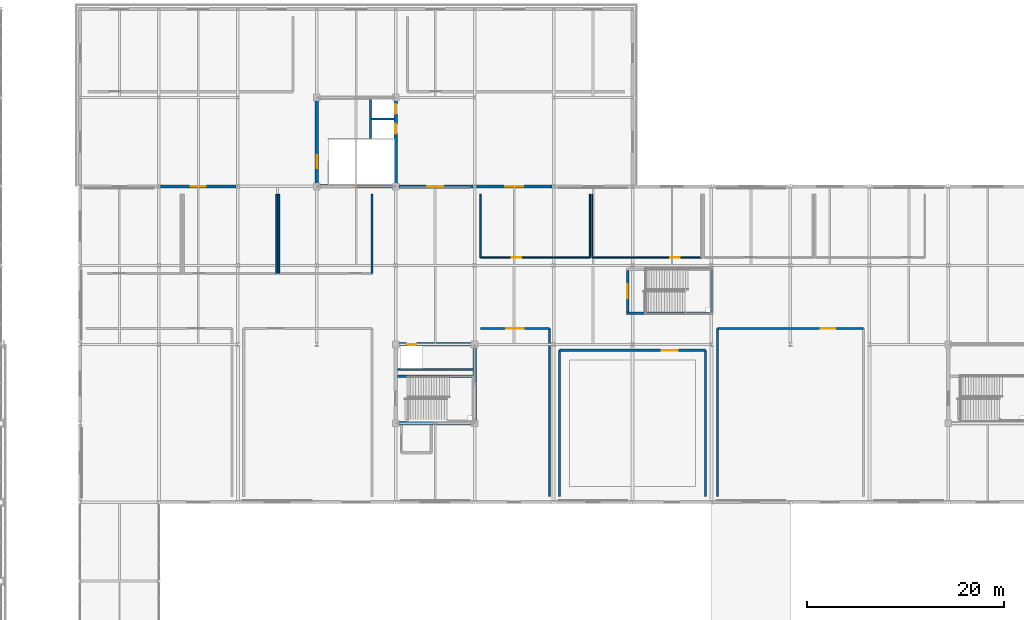
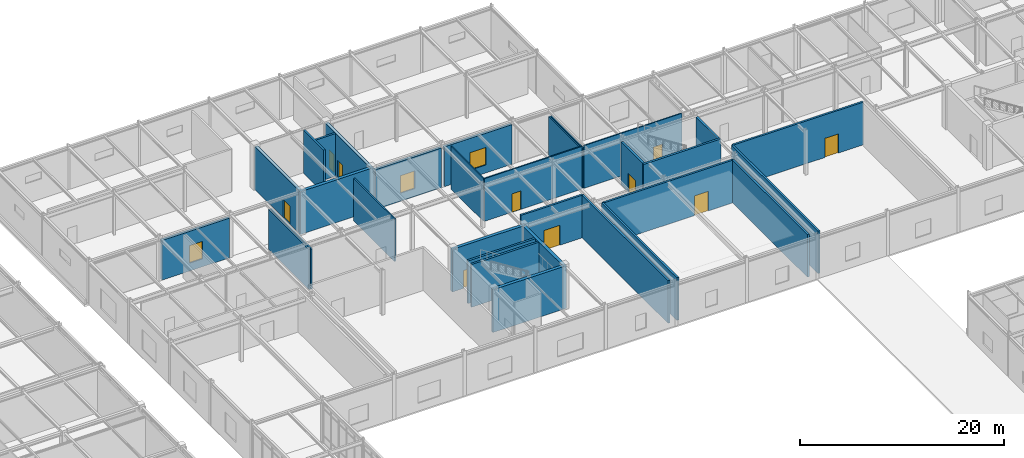
# One storey, part 92 of 108: 31 walls, 10 doors, 3 windows, 13 openings.
"""IFC4 building model written with IfcOpenShell, lengths in metres."""

from ifc_helpers import new_model, si_unit, direction, frame, frame_2d, origin, place, context, subcontext, project, spatial, rectangle, extrude, material, layer, layer_set, type_object, element, fill, save


model = new_model("IFC4")

# Units and contexts
model_context = context("Model", 3, precision=1e-05, world=origin(), true_north=direction((0.0, 1.0)))
body_context = subcontext(model_context, "Body", "Model", "MODEL_VIEW")
ifc_project = project(units=[si_unit("LENGTHUNIT", "METRE"), si_unit("AREAUNIT", "SQUARE_METRE"), si_unit("VOLUMEUNIT", "CUBIC_METRE"), si_unit("PLANEANGLEUNIT", "RADIAN"), si_unit("MASSUNIT", "GRAM", prefix="KILO")], contexts=[model_context])

# Site, building, storey
site_placement = place(None, origin())
site = spatial("IfcSite", under=ifc_project, at=site_placement, CompositionType="ELEMENT")
building_placement = place(site_placement, origin())
building = spatial("IfcBuilding", under=site, at=building_placement, Name="Zhaolan Boulevard Law Courts", CompositionType="ELEMENT")
storey_placement = place(building_placement, frame((0.0, 0.0, 10.800048828125)))
storey = spatial("IfcBuildingStorey", under=building, at=storey_placement, Name="L02", CompositionType="ELEMENT", Elevation=10.800048828125)

# Wall
ifc_material_1 = material(Name="Concrete C50", Category="concrete")
ifc_layer_1 = layer(ifc_material_1, 0.35009765625)
ifc_layer_set_1 = layer_set([ifc_layer_1])
wall_type_1 = type_object("IfcWallType", Name="CORE SHEAR WALL 350", PredefinedType="SHEAR", material=ifc_layer_set_1)
wall_1_placement = place(storey_placement, frame((83.824951171875, 70.0, 0.0), z_axis=(0.0, 0.0, 1.0), x_axis=(1.0, 0.0, 0.0)))
element("IfcWall", 1, at=wall_1_placement, inside=storey, type_object=wall_type_1, Name="Core Shear Wall CW-T1-L02S", PredefinedType="SHEAR", context=body_context, shape_type="SweptSolid", body=[
    extrude(rectangle(XDim=8.35009765625, YDim=0.35009765625, at=frame_2d((4.175048828125, 0.0))), origin(), (0.0, 0.0, 1.0), 5.119873046875),
])

# Wall, opening, door
wall_2_placement = place(storey_placement, frame((92.175048828125, 78.0, 0.0), z_axis=(0.0, 0.0, 1.0), x_axis=(-1.0, 0.0, 0.0)))
wall_2 = element("IfcWall", 2, at=wall_2_placement, inside=storey, type_object=wall_type_1, Name="Core Shear Wall CW-T1-L02N", PredefinedType="SHEAR", context=body_context, shape_type="SweptSolid", body=[
    extrude(rectangle(XDim=8.35009765625, YDim=0.35009765625, at=frame_2d((4.175048828125, 0.0))), origin(), (0.0, 0.0, 1.0), 5.119873046875),
])
opening_1_placement = place(wall_2_placement, frame((6.074951171875, 0.0, 0.0)))
opening_1 = element("IfcOpeningElement", 3, at=opening_1_placement, cuts=wall_2, Name="Opening LD-PL-03-L02", PredefinedType="OPENING", context=body_context, shape_type="SweptSolid", body=[
    extrude(rectangle(XDim=1.0, YDim=2.14990234375, at=frame_2d((0.5, 1.074951171875))), frame((0.0, 0.18505859375, 0.0), z_axis=(0.0, -1.0, 0.0), x_axis=(1.0, 0.0, 0.0)), (0.0, 0.0, 1.0), 0.3701171875),
])
ifc_material_2 = material(Name="Stainless steel sliding landing door", Category="steel")
door_type_1 = type_object("IfcDoorType", Name="LIFT LANDING 1000X2150", OperationType="DOUBLE_DOOR_SLIDING", PredefinedType="DOOR", material=ifc_material_2)
door_1_placement = place(opening_1_placement, origin())
door_1 = element("IfcDoor", 4, at=door_1_placement, inside=storey, type_object=door_type_1, Name="Lift Landing Sliding Door LD-PL-03-L02", OperationType="DOUBLE_DOOR_SLIDING", OverallHeight=2.14990234375, OverallWidth=1.0, PredefinedType="DOOR", context=body_context, shape_type="SweptSolid", body=[
    extrude(rectangle(XDim=1.0, YDim=2.14990234375, at=frame_2d((0.5, 1.074951171875))), frame((0.0, 0.02490234375, 0.0), z_axis=(0.0, -1.0, 0.0), x_axis=(1.0, 0.0, 0.0)), (0.0, 0.0, 1.0), 0.050048828125),
])
fill(opening_1, door_1)

# Walls
wall_3_placement = place(storey_placement, frame((92.0, 70.175048828125, 0.0), z_axis=(0.0, 0.0, 1.0), x_axis=(0.0, 1.0, 0.0)))
element("IfcWall", 5, at=wall_3_placement, inside=storey, type_object=wall_type_1, Name="Core Shear Wall CW-T1-L02E", PredefinedType="SHEAR", context=body_context, shape_type="SweptSolid", body=[
    extrude(rectangle(XDim=7.64990234375, YDim=0.35009765625, at=frame_2d((3.824951171875, 0.0))), origin(), (0.0, 0.0, 1.0), 5.119873046875),
])
wall_4_placement = place(storey_placement, frame((75.824951171875, 94.0, 0.0), z_axis=(0.0, 0.0, 1.0), x_axis=(1.0, 0.0, 0.0)))
element("IfcWall", 6, at=wall_4_placement, inside=storey, type_object=wall_type_1, Name="Core Shear Wall CW-C1-L02S", PredefinedType="SHEAR", context=body_context, shape_type="SweptSolid", body=[
    extrude(rectangle(XDim=8.35009765625, YDim=0.35009765625, at=frame_2d((4.175048828125, 0.0))), origin(), (0.0, 0.0, 1.0), 5.119873046875),
])

# Wall, opening, door
wall_5_placement = place(storey_placement, frame((76.0, 94.175048828125, 0.0), z_axis=(0.0, 0.0, 1.0), x_axis=(0.0, 1.0, 0.0)))
wall_5 = element("IfcWall", 7, at=wall_5_placement, inside=storey, type_object=wall_type_1, Name="Core Shear Wall CW-C1-L02W", PredefinedType="SHEAR", context=body_context, shape_type="SweptSolid", body=[
    extrude(rectangle(XDim=8.64990234375, YDim=0.35009765625, at=frame_2d((4.324951171875, 0.0))), origin(), (0.0, 0.0, 1.0), 5.119873046875),
])
opening_2_placement = place(wall_5_placement, frame((1.64990234375, 0.0, 0.0)))
opening_2 = element("IfcOpeningElement", 8, at=opening_2_placement, cuts=wall_5, Name="Opening SD-L02-46", PredefinedType="OPENING", context=body_context, shape_type="SweptSolid", body=[
    extrude(rectangle(XDim=1.35009765625, YDim=2.199951171875, at=frame_2d((0.675048828125, 1.10009765625))), frame((0.0, 0.18505859375, 0.0), z_axis=(0.0, -1.0, 0.0), x_axis=(1.0, 0.0, 0.0)), (0.0, 0.0, 1.0), 0.3701171875),
])
ifc_material_3 = material(Name="Fire-rated steel acoustic door", Category="steel")
door_type_2 = type_object("IfcDoorType", Name="STAIR FIRE 1350X2200 R", OperationType="SINGLE_SWING_RIGHT", PredefinedType="DOOR", material=ifc_material_3)
door_2_placement = place(opening_2_placement, origin())
door_2 = element("IfcDoor", 9, at=door_2_placement, inside=storey, type_object=door_type_2, Name="Smoke-Proof Stairwell Fire Door SD-L02-46", OperationType="SINGLE_SWING_RIGHT", OverallHeight=2.199951171875, OverallWidth=1.35009765625, PredefinedType="DOOR", context=body_context, shape_type="SweptSolid", body=[
    extrude(rectangle(XDim=1.35009765625, YDim=2.199951171875, at=frame_2d((0.675048828125, 1.10009765625))), frame((0.0, 0.02490234375, 0.0), z_axis=(0.0, -1.0, 0.0), x_axis=(1.0, 0.0, 0.0)), (0.0, 0.0, 1.0), 0.050048828125),
])
fill(opening_2, door_2)

# Wall, openings, doors
wall_6_placement = place(storey_placement, frame((84.0, 94.175048828125, 0.0), z_axis=(0.0, 0.0, 1.0), x_axis=(0.0, 1.0, 0.0)))
wall_6 = element("IfcWall", 10, at=wall_6_placement, inside=storey, type_object=wall_type_1, Name="Core Shear Wall CW-C1-L02E", PredefinedType="SHEAR", context=body_context, shape_type="SweptSolid", body=[
    extrude(rectangle(XDim=8.64990234375, YDim=0.35009765625, at=frame_2d((4.324951171875, 0.0))), origin(), (0.0, 0.0, 1.0), 5.119873046875),
])
opening_3_placement = place(wall_6_placement, frame((5.175048828125, 0.0, 0.0)))
opening_3 = element("IfcOpeningElement", 11, at=opening_3_placement, cuts=wall_6, Name="Opening LD-CL-01-L02", PredefinedType="OPENING", context=body_context, shape_type="SweptSolid", body=[
    extrude(rectangle(XDim=1.0, YDim=2.14990234375, at=frame_2d((0.5, 1.074951171875))), frame((0.0, 0.18505859375, 0.0), z_axis=(0.0, -1.0, 0.0), x_axis=(1.0, 0.0, 0.0)), (0.0, 0.0, 1.0), 0.3701171875),
])
opening_4_placement = place(wall_6_placement, frame((7.175048828125, 0.0, 0.0)))
opening_4 = element("IfcOpeningElement", 12, at=opening_4_placement, cuts=wall_6, Name="Opening LD-CL-02-L02", PredefinedType="OPENING", context=body_context, shape_type="SweptSolid", body=[
    extrude(rectangle(XDim=1.0, YDim=2.14990234375, at=frame_2d((0.5, 1.074951171875))), frame((0.0, 0.18505859375, 0.0), z_axis=(0.0, -1.0, 0.0), x_axis=(1.0, 0.0, 0.0)), (0.0, 0.0, 1.0), 0.3701171875),
])
door_3_placement = place(opening_3_placement, origin())
door_3 = element("IfcDoor", 13, at=door_3_placement, inside=storey, type_object=door_type_1, Name="Lift Landing Sliding Door LD-CL-01-L02", OperationType="DOUBLE_DOOR_SLIDING", OverallHeight=2.14990234375, OverallWidth=1.0, PredefinedType="DOOR", context=body_context, shape_type="SweptSolid", body=[
    extrude(rectangle(XDim=1.0, YDim=2.14990234375, at=frame_2d((0.5, 1.074951171875))), frame((0.0, 0.02490234375, 0.0), z_axis=(0.0, -1.0, 0.0), x_axis=(1.0, 0.0, 0.0)), (0.0, 0.0, 1.0), 0.050048828125),
])
fill(opening_3, door_3)
door_4_placement = place(opening_4_placement, origin())
door_4 = element("IfcDoor", 14, at=door_4_placement, inside=storey, type_object=door_type_1, Name="Lift Landing Sliding Door LD-CL-02-L02", OperationType="DOUBLE_DOOR_SLIDING", OverallHeight=2.14990234375, OverallWidth=1.0, PredefinedType="DOOR", context=body_context, shape_type="SweptSolid", body=[
    extrude(rectangle(XDim=1.0, YDim=2.14990234375, at=frame_2d((0.5, 1.074951171875))), frame((0.0, 0.02490234375, 0.0), z_axis=(0.0, -1.0, 0.0), x_axis=(1.0, 0.0, 0.0)), (0.0, 0.0, 1.0), 0.050048828125),
])
fill(opening_4, door_4)

# Wall, opening, window
ifc_material_4 = material(Name="Concrete C40", Category="concrete")
ifc_layer_2 = layer(ifc_material_4, 0.300048828125)
ifc_layer_set_2 = layer_set([ifc_layer_2])
wall_type_2 = type_object("IfcWallType", Name="EXT WALL CONCRETE300", PredefinedType="SOLIDWALL", material=ifc_layer_set_2)
wall_7_placement = place(storey_placement, frame((67.8291015625, 94.0, 0.0), z_axis=(0.0, 0.0, 1.0), x_axis=(-1.0, 0.0, 0.0)))
wall_7 = element("IfcWall", 15, at=wall_7_placement, inside=storey, type_object=wall_type_2, Name="Exterior Wall EW-L02-251", PredefinedType="SOLIDWALL", context=body_context, shape_type="SweptSolid", body=[
    extrude(rectangle(XDim=7.658203125, YDim=0.300048828125, at=frame_2d((3.8291015625, 0.0))), origin(), (0.0, 0.0, 1.0), 4.762939453125),
])
opening_5_placement = place(wall_7_placement, frame((3.0791015625, 0.0, 0.949951171875)))
opening_5 = element("IfcOpeningElement", 16, at=opening_5_placement, cuts=wall_7, Name="Opening WIN-L02-108", PredefinedType="OPENING", context=body_context, shape_type="SweptSolid", body=[
    extrude(rectangle(XDim=1.5, YDim=2.10009765625, at=frame_2d((0.75, 1.050048828125))), frame((0.0, 0.159912109375, 0.0), z_axis=(0.0, -1.0, 0.0), x_axis=(1.0, 0.0, 0.0)), (0.0, 0.0, 1.0), 0.320068359375),
])
ifc_material_5 = material(Name="Thermally broken aluminium and low-E glazing", Category="aluminium")
window_type_1 = type_object("IfcWindowType", Name="WINDOW 1500X2100", PartitioningType="SINGLE_PANEL", PredefinedType="WINDOW", material=ifc_material_5)
window_1_placement = place(opening_5_placement, origin())
window_1 = element("IfcWindow", 17, at=window_1_placement, inside=storey, type_object=window_type_1, Name="Exterior Window WIN-L02-108", OverallHeight=2.10009765625, OverallWidth=1.5, PartitioningType="SINGLE_PANEL", PredefinedType="WINDOW", context=body_context, shape_type="SweptSolid", body=[
    extrude(rectangle(XDim=1.5, YDim=2.10009765625, at=frame_2d((0.75, 1.050048828125))), frame((0.0, 0.030029296875, 0.0), z_axis=(0.0, -1.0, 0.0), x_axis=(1.0, 0.0, 0.0)), (0.0, 0.0, 1.0), 0.06005859375),
])
fill(opening_5, window_1)

wall_8_placement = place(storey_placement, frame((91.8291015625, 94.0, 0.0), z_axis=(0.0, 0.0, 1.0), x_axis=(-1.0, 0.0, 0.0)))
wall_8 = element("IfcWall", 18, at=wall_8_placement, inside=storey, type_object=wall_type_2, Name="Exterior Wall EW-L02-252", PredefinedType="SOLIDWALL", context=body_context, shape_type="SweptSolid", body=[
    extrude(rectangle(XDim=7.483154296875, YDim=0.300048828125, at=frame_2d((3.74169921875, 0.0))), origin(), (0.0, 0.0, 1.0), 4.762939453125),
])
opening_6_placement = place(wall_8_placement, frame((3.00390625, 0.0, 0.949951171875)))
opening_6 = element("IfcOpeningElement", 19, at=opening_6_placement, cuts=wall_8, Name="Opening WIN-L02-109", PredefinedType="OPENING", context=body_context, shape_type="SweptSolid", body=[
    extrude(rectangle(XDim=1.64990234375, YDim=2.10009765625, at=frame_2d((0.824951171875, 1.050048828125))), frame((0.0, 0.159912109375, 0.0), z_axis=(0.0, -1.0, 0.0), x_axis=(1.0, 0.0, 0.0)), (0.0, 0.0, 1.0), 0.320068359375),
])
ifc_material_6 = material(Name="Thermally broken aluminium and low-E glazing", Category="aluminium")
window_type_2 = type_object("IfcWindowType", Name="WINDOW 1650X2100", PartitioningType="SINGLE_PANEL", PredefinedType="WINDOW", material=ifc_material_6)
window_2_placement = place(opening_6_placement, origin())
window_2 = element("IfcWindow", 20, at=window_2_placement, inside=storey, type_object=window_type_2, Name="Exterior Window WIN-L02-109", OverallHeight=2.10009765625, OverallWidth=1.64990234375, PartitioningType="SINGLE_PANEL", PredefinedType="WINDOW", context=body_context, shape_type="SweptSolid", body=[
    extrude(rectangle(XDim=1.64990234375, YDim=2.10009765625, at=frame_2d((0.824951171875, 1.050048828125))), frame((0.0, 0.030029296875, 0.0), z_axis=(0.0, -1.0, 0.0), x_axis=(1.0, 0.0, 0.0)), (0.0, 0.0, 1.0), 0.06005859375),
])
fill(opening_6, window_2)

wall_9_placement = place(storey_placement, frame((99.8291015625, 94.0, 0.0), z_axis=(0.0, 0.0, 1.0), x_axis=(-1.0, 0.0, 0.0)))
wall_9 = element("IfcWall", 21, at=wall_9_placement, inside=storey, type_object=wall_type_2, Name="Exterior Wall EW-L02-253", PredefinedType="SOLIDWALL", context=body_context, shape_type="SweptSolid", body=[
    extrude(rectangle(XDim=7.658203125, YDim=0.300048828125, at=frame_2d((3.8291015625, 0.0))), origin(), (0.0, 0.0, 1.0), 4.762939453125),
])
opening_7_placement = place(wall_9_placement, frame((2.928955078125, 0.0, 0.949951171875)))
opening_7 = element("IfcOpeningElement", 22, at=opening_7_placement, cuts=wall_9, Name="Opening WIN-L02-110", PredefinedType="OPENING", context=body_context, shape_type="SweptSolid", body=[
    extrude(rectangle(XDim=1.800048828125, YDim=2.10009765625, at=frame_2d((0.89990234375, 1.050048828125))), frame((0.0, 0.159912109375, 0.0), z_axis=(0.0, -1.0, 0.0), x_axis=(1.0, 0.0, 0.0)), (0.0, 0.0, 1.0), 0.320068359375),
])
ifc_material_7 = material(Name="Thermally broken aluminium and low-E glazing", Category="aluminium")
window_type_3 = type_object("IfcWindowType", Name="WINDOW 1800X2100", PartitioningType="DOUBLE_PANEL_VERTICAL", PredefinedType="WINDOW", material=ifc_material_7)
window_3_placement = place(opening_7_placement, origin())
window_3 = element("IfcWindow", 23, at=window_3_placement, inside=storey, type_object=window_type_3, Name="Exterior Window WIN-L02-110", OverallHeight=2.10009765625, OverallWidth=1.800048828125, PartitioningType="SINGLE_PANEL", PredefinedType="WINDOW", context=body_context, shape_type="SweptSolid", body=[
    extrude(rectangle(XDim=1.800048828125, YDim=2.10009765625, at=frame_2d((0.89990234375, 1.050048828125))), frame((0.0, 0.030029296875, 0.0), z_axis=(0.0, -1.0, 0.0), x_axis=(1.0, 0.0, 0.0)), (0.0, 0.0, 1.0), 0.06005859375),
])
fill(opening_7, window_3)

# Walls
ifc_material_8 = material(Name="Concrete C50", Category="concrete")
ifc_layer_3 = layer(ifc_material_8, 0.239990234375)
ifc_layer_set_3 = layer_set([ifc_layer_3])
wall_type_3 = type_object("IfcWallType", Name="LIFT SHAFT WALL 240", PredefinedType="SHEAR", material=ifc_layer_set_3)
wall_10_placement = place(storey_placement, frame((84.175048828125, 75.455078125, 0.0), z_axis=(0.0, 0.0, 1.0), x_axis=(1.0, 0.0, 0.0)))
element("IfcWall", 24, at=wall_10_placement, inside=storey, type_object=wall_type_3, Name="Lift Shaft Enclosure Wall T1 (L02)", PredefinedType="SHEAR", context=body_context, shape_type="SweptSolid", body=[
    extrude(rectangle(XDim=7.64990234375, YDim=0.239990234375, at=frame_2d((3.824951171875, 0.0))), origin(), (0.0, 0.0, 1.0), 5.119873046875),
])
ifc_material_9 = material(Name="Fire-rated gypsum stud partition")
ifc_layer_4 = layer(ifc_material_9, 0.159912109375)
ifc_layer_set_4 = layer_set([ifc_layer_4])
wall_type_4 = type_object("IfcWallType", Name="PART WALL CHAMB160", PredefinedType="PARTITIONING", material=ifc_layer_set_4)
for number, where, z_axis, x_axis, name in (
    (25, (71.927001953125, 85.199951171875, 0.0), (0.0, 0.0, 1.0), (0.0, 1.0, 0.0), "Interior Partition PW-L02-467"),
    (26, (72.14697265625, 93.199951171875, 0.0), (0.0, 0.0, 1.0), (0.0, -1.0, 0.0), "Interior Partition PW-L02-469"),
):
    element("IfcWall", number, at=place(storey_placement, frame(where, z_axis=z_axis, x_axis=x_axis)), inside=storey, type_object=wall_type_4, Name=name, PredefinedType="PARTITIONING", context=body_context, shape_type="SweptSolid", body=[
        extrude(rectangle(XDim=8.0, YDim=0.159912109375, at=frame_2d((4.0, 0.0))), origin(), (0.0, 0.0, 1.0), 4.81201171875),
    ])
wall_11_placement = place(storey_placement, frame((81.60009765625, 85.199951171875, 0.0), z_axis=(0.0, 0.0, 1.0), x_axis=(0.0, 1.0, 0.0)))
element("IfcWall", 27, at=wall_11_placement, inside=storey, type_object=wall_type_4, Name="Interior Partition PW-L02-470", PredefinedType="PARTITIONING", context=body_context, shape_type="SweptSolid", body=[
    extrude(rectangle(XDim=8.0, YDim=0.159912109375, at=frame_2d((4.0, 0.0))), origin(), (0.0, 0.0, 1.0), 5.119873046875),
])

# Wall, opening, door
ifc_material_10 = material(Name="Concrete C40", Category="concrete")
ifc_layer_5 = layer(ifc_material_10, 0.219970703125)
ifc_layer_set_5 = layer_set([ifc_layer_5])
wall_type_5 = type_object("IfcWallType", Name="PART WALL COURT220", PredefinedType="PARTITIONING", material=ifc_layer_set_5)
wall_12_placement = place(storey_placement, frame((99.60009765625, 79.60009765625, 0.0), z_axis=(0.0, 0.0, 1.0), x_axis=(-1.0, 0.0, 0.0)))
wall_12 = element("IfcWall", 28, at=wall_12_placement, inside=storey, type_object=wall_type_5, Name="Interior Partition PW-L02-454", PredefinedType="PARTITIONING", context=body_context, shape_type="SweptSolid", body=[
    extrude(rectangle(XDim=7.0, YDim=0.219970703125, at=frame_2d((3.5, 0.0))), origin(), (0.0, 0.0, 1.0), 5.119873046875),
])
opening_8_placement = place(wall_12_placement, frame((2.60009765625, 0.0, 0.0)))
opening_8 = element("IfcOpeningElement", 29, at=opening_8_placement, cuts=wall_12, Name="Opening ID-L02-141", PredefinedType="OPENING", context=body_context, shape_type="SweptSolid", body=[
    extrude(rectangle(XDim=1.800048828125, YDim=2.39990234375, at=frame_2d((0.89990234375, 1.199951171875))), frame((0.0, 0.119873046875, 0.0), z_axis=(0.0, -1.0, 0.0), x_axis=(1.0, 0.0, 0.0)), (0.0, 0.0, 1.0), 0.239990234375),
])
ifc_material_11 = material(Name="Solid-core acoustic oak veneer door")
door_type_3 = type_object("IfcDoorType", Name="COURT DOUBLE 1800X2400", OperationType="DOUBLE_DOOR_SINGLE_SWING", PredefinedType="DOOR", material=ifc_material_11)
door_5_placement = place(opening_8_placement, origin())
door_5 = element("IfcDoor", 30, at=door_5_placement, inside=storey, type_object=door_type_3, Name="Door ID-L02-141 (Gabled Trial Courtroom 11)", OperationType="DOUBLE_DOOR_SINGLE_SWING", OverallHeight=2.39990234375, OverallWidth=1.800048828125, PredefinedType="DOOR", context=body_context, shape_type="SweptSolid", body=[
    extrude(rectangle(XDim=1.800048828125, YDim=2.39990234375, at=frame_2d((0.89990234375, 1.199951171875))), frame((0.0, 0.02490234375, 0.0), z_axis=(0.0, -1.0, 0.0), x_axis=(1.0, 0.0, 0.0)), (0.0, 0.0, 1.0), 0.050048828125),
])
fill(opening_8, door_5)

# Wall
wall_13_placement = place(storey_placement, frame((99.60009765625, 62.60009765625, 0.0), z_axis=(0.0, 0.0, 1.0), x_axis=(0.0, 1.0, 0.0)))
element("IfcWall", 31, at=wall_13_placement, inside=storey, type_object=wall_type_5, Name="Interior Partition PW-L02-455", PredefinedType="PARTITIONING", context=body_context, shape_type="SweptSolid", body=[
    extrude(rectangle(XDim=17.0, YDim=0.219970703125, at=frame_2d((8.5, 0.0))), origin(), (0.0, 0.0, 1.0), 5.119873046875),
])

# Wall, opening, door
wall_14_placement = place(storey_placement, frame((115.39990234375, 77.39990234375, 0.0), z_axis=(0.0, 0.0, 1.0), x_axis=(-1.0, 0.0, 0.0)))
wall_14 = element("IfcWall", 32, at=wall_14_placement, inside=storey, type_object=wall_type_5, Name="Interior Partition PW-L02-456", PredefinedType="PARTITIONING", context=body_context, shape_type="SweptSolid", body=[
    extrude(rectangle(XDim=14.7998046875, YDim=0.219970703125, at=frame_2d((7.39990234375, 0.0))), origin(), (0.0, 0.0, 1.0), 5.119873046875),
])
opening_9_placement = place(wall_14_placement, frame((2.820068359375, 0.0, 0.0)))
opening_9 = element("IfcOpeningElement", 33, at=opening_9_placement, cuts=wall_14, Name="Opening ID-L02-142", PredefinedType="OPENING", context=body_context, shape_type="SweptSolid", body=[
    extrude(rectangle(XDim=1.60009765625, YDim=2.35009765625, at=frame_2d((0.800048828125, 1.175048828125))), frame((0.0, 0.119873046875, 0.0), z_axis=(0.0, -1.0, 0.0), x_axis=(1.0, 0.0, 0.0)), (0.0, 0.0, 1.0), 0.239990234375),
])
ifc_material_12 = material(Name="Solid-core acoustic oak veneer door")
door_type_4 = type_object("IfcDoorType", Name="COURT DOUBLE 1600X2350", OperationType="DOUBLE_DOOR_SINGLE_SWING", PredefinedType="DOOR", material=ifc_material_12)
door_6_placement = place(opening_9_placement, origin())
door_6 = element("IfcDoor", 34, at=door_6_placement, inside=storey, type_object=door_type_4, Name="Door ID-L02-142 (Gabled Trial Courtroom 12)", OperationType="DOUBLE_DOOR_SINGLE_SWING", OverallHeight=2.35009765625, OverallWidth=1.60009765625, PredefinedType="DOOR", context=body_context, shape_type="SweptSolid", body=[
    extrude(rectangle(XDim=1.60009765625, YDim=2.35009765625, at=frame_2d((0.800048828125, 1.175048828125))), frame((0.0, 0.02490234375, 0.0), z_axis=(0.0, -1.0, 0.0), x_axis=(1.0, 0.0, 0.0)), (0.0, 0.0, 1.0), 0.050048828125),
])
fill(opening_9, door_6)

# Walls
for number, where, z_axis, x_axis, name in (
    (35, (100.60009765625, 77.39990234375, 0.0), (0.0, 0.0, 1.0), (0.0, -1.0, 0.0), "Interior Partition PW-L02-457"),
    (36, (115.39990234375, 62.60009765625, 0.0), (0.0, 0.0, 1.0), (0.0, 1.0, 0.0), "Interior Partition PW-L02-458"),
):
    element("IfcWall", number, at=place(storey_placement, frame(where, z_axis=z_axis, x_axis=x_axis)), inside=storey, type_object=wall_type_5, Name=name, PredefinedType="PARTITIONING", context=body_context, shape_type="SweptSolid", body=[
        extrude(rectangle(XDim=14.7998046875, YDim=0.219970703125, at=frame_2d((7.39990234375, 0.0))), origin(), (0.0, 0.0, 1.0), 5.119873046875),
    ])

# Wall, opening, door
wall_15_placement = place(storey_placement, frame((131.39990234375, 79.60009765625, 0.0), z_axis=(0.0, 0.0, 1.0), x_axis=(-1.0, 0.0, 0.0)))
wall_15 = element("IfcWall", 37, at=wall_15_placement, inside=storey, type_object=wall_type_5, Name="Interior Partition PW-L02-459", PredefinedType="PARTITIONING", context=body_context, shape_type="SweptSolid", body=[
    extrude(rectangle(XDim=14.7998046875, YDim=0.219970703125, at=frame_2d((7.39990234375, 0.0))), origin(), (0.0, 0.0, 1.0), 5.119873046875),
])
opening_10_placement = place(wall_15_placement, frame((2.840087890625, 0.0, 0.0)))
opening_10 = element("IfcOpeningElement", 38, at=opening_10_placement, cuts=wall_15, Name="Opening ID-L02-143", PredefinedType="OPENING", context=body_context, shape_type="SweptSolid", body=[
    extrude(rectangle(XDim=1.5, YDim=2.300048828125, at=frame_2d((0.75, 1.14990234375))), frame((0.0, 0.119873046875, 0.0), z_axis=(0.0, -1.0, 0.0), x_axis=(1.0, 0.0, 0.0)), (0.0, 0.0, 1.0), 0.239990234375),
])
ifc_material_13 = material(Name="Solid-core acoustic oak veneer door")
door_type_5 = type_object("IfcDoorType", Name="COURT DOUBLE 1500X2300", OperationType="DOUBLE_DOOR_SINGLE_SWING", PredefinedType="DOOR", material=ifc_material_13)
door_7_placement = place(opening_10_placement, origin())
door_7 = element("IfcDoor", 39, at=door_7_placement, inside=storey, type_object=door_type_5, Name="Door ID-L02-143 (Gabled Trial Courtroom 13)", OperationType="DOUBLE_DOOR_SINGLE_SWING", OverallHeight=2.300048828125, OverallWidth=1.5, PredefinedType="DOOR", context=body_context, shape_type="SweptSolid", body=[
    extrude(rectangle(XDim=1.5, YDim=2.300048828125, at=frame_2d((0.75, 1.14990234375))), frame((0.0, 0.02490234375, 0.0), z_axis=(0.0, -1.0, 0.0), x_axis=(1.0, 0.0, 0.0)), (0.0, 0.0, 1.0), 0.050048828125),
])
fill(opening_10, door_7)

# Walls
wall_16_placement = place(storey_placement, frame((116.60009765625, 79.60009765625, 0.0), z_axis=(0.0, 0.0, 1.0), x_axis=(0.0, -1.0, 0.0)))
element("IfcWall", 40, at=wall_16_placement, inside=storey, type_object=wall_type_5, Name="Interior Partition PW-L02-460", PredefinedType="PARTITIONING", context=body_context, shape_type="SweptSolid", body=[
    extrude(rectangle(XDim=17.0, YDim=0.219970703125, at=frame_2d((8.5, 0.0))), origin(), (0.0, 0.0, 1.0), 5.119873046875),
])
ifc_material_14 = material(Name="Concrete C40", Category="concrete")
ifc_layer_6 = layer(ifc_material_14, 0.2099609375)
ifc_layer_set_6 = layer_set([ifc_layer_6])
wall_type_6 = type_object("IfcWallType", Name="PART WALL CUSTODY210", PredefinedType="PARTITIONING", material=ifc_layer_set_6)
wall_17_placement = place(storey_placement, frame((81.465087890625, 98.8720703125, 0.0), z_axis=(0.0, 0.0, 1.0), x_axis=(0.0, 1.0, 0.0)))
element("IfcWall", 41, at=wall_17_placement, inside=storey, type_object=wall_type_6, Name="Lift Shaft Enclosure Wall C1W (L02)", PredefinedType="PARTITIONING", context=body_context, shape_type="SweptSolid", body=[
    extrude(rectangle(XDim=3.950927734375, YDim=0.2099609375, at=frame_2d((1.9755859375, 0.0))), origin(), (0.0, 0.0, 1.0), 5.119873046875),
])
wall_18_placement = place(storey_placement, frame((81.572021484375, 100.85009765625, 0.0), z_axis=(0.0, 0.0, 1.0), x_axis=(1.0, 0.0, 0.0)))
element("IfcWall", 42, at=wall_18_placement, inside=storey, type_object=wall_type_6, Name="Lift Shaft Divider Wall C1 (L02)", PredefinedType="PARTITIONING", context=body_context, shape_type="SweptSolid", body=[
    extrude(rectangle(XDim=2.2509765625, YDim=0.2099609375, at=frame_2d((1.12548828125, 0.0))), origin(), (0.0, 0.0, 1.0), 5.119873046875),
])

# Wall, opening, door
ifc_material_15 = material(Name="Gypsum board stud partition")
ifc_layer_7 = layer(ifc_material_15, 0.1201171875)
ifc_layer_set_7 = layer_set([ifc_layer_7])
wall_type_7 = type_object("IfcWallType", Name="PART WALL LIGHT120", PredefinedType="PARTITIONING", material=ifc_layer_set_7)
wall_19_placement = place(storey_placement, frame((103.905029296875, 86.800048828125, 0.0), z_axis=(0.0, 0.0, 1.0), x_axis=(1.0, 0.0, 0.0)))
wall_19 = element("IfcWall", 43, at=wall_19_placement, inside=storey, type_object=wall_type_7, Name="Interior Partition PW-L02-474", PredefinedType="PARTITIONING", context=body_context, shape_type="SweptSolid", body=[
    extrude(rectangle(XDim=11.0849609375, YDim=0.1201171875, at=frame_2d((5.54248046875, 0.0))), origin(), (0.0, 0.0, 1.0), 5.119873046875),
])
opening_11_placement = place(wall_19_placement, frame((7.904052734375, 0.0, 0.0)))
opening_11 = element("IfcOpeningElement", 44, at=opening_11_placement, cuts=wall_19, Name="Opening JD-L02-149", PredefinedType="OPENING", context=body_context, shape_type="SweptSolid", body=[
    extrude(rectangle(XDim=0.97998046875, YDim=2.199951171875, at=frame_2d((0.489990234375, 1.10009765625))), frame((0.0, 0.070068359375, 0.0), z_axis=(0.0, -1.0, 0.0), x_axis=(1.0, 0.0, 0.0)), (0.0, 0.0, 1.0), 0.14013671875),
])
ifc_material_16 = material(Name="Solid-core acoustic oak veneer door")
door_type_6 = type_object("IfcDoorType", Name="CHAMBER DOOR 980X2200 R", OperationType="SINGLE_SWING_RIGHT", PredefinedType="DOOR", material=ifc_material_16)
door_8_placement = place(opening_11_placement, origin())
door_8 = element("IfcDoor", 45, at=door_8_placement, inside=storey, type_object=door_type_6, Name="Door JD-L02-149 (Judges' Chambers L02-02)", OperationType="SINGLE_SWING_RIGHT", OverallHeight=2.199951171875, OverallWidth=0.97998046875, PredefinedType="DOOR", context=body_context, shape_type="SweptSolid", body=[
    extrude(rectangle(XDim=0.97998046875, YDim=2.199951171875, at=frame_2d((0.489990234375, 1.10009765625))), frame((0.0, 0.02490234375, 0.0), z_axis=(0.0, -1.0, 0.0), x_axis=(1.0, 0.0, 0.0)), (0.0, 0.0, 1.0), 0.050048828125),
])
fill(opening_11, door_8)

# Wall
wall_20_placement = place(storey_placement, frame((103.905029296875, 93.199951171875, 0.0), z_axis=(0.0, 0.0, 1.0), x_axis=(0.0, -1.0, 0.0)))
element("IfcWall", 46, at=wall_20_placement, inside=storey, type_object=wall_type_7, Name="Interior Partition PW-L02-475", PredefinedType="PARTITIONING", context=body_context, shape_type="SweptSolid", body=[
    extrude(rectangle(XDim=6.39990234375, YDim=0.1201171875, at=frame_2d((3.199951171875, 0.0))), origin(), (0.0, 0.0, 1.0), 4.805908203125),
])

# Wall, opening, door
ifc_material_17 = material(Name="Fire-rated gypsum stud partition")
ifc_layer_8 = layer(ifc_material_17, 0.139892578125)
ifc_layer_set_8 = layer_set([ifc_layer_8])
wall_type_8 = type_object("IfcWallType", Name="PART WALL OFFICE140", PredefinedType="PARTITIONING", material=ifc_layer_set_8)
wall_21_placement = place(storey_placement, frame((92.60009765625, 86.800048828125, 0.0), z_axis=(0.0, 0.0, 1.0), x_axis=(1.0, 0.0, 0.0)))
wall_21 = element("IfcWall", 47, at=wall_21_placement, inside=storey, type_object=wall_type_8, Name="Interior Partition PW-L02-471", PredefinedType="PARTITIONING", context=body_context, shape_type="SweptSolid", body=[
    extrude(rectangle(XDim=11.0849609375, YDim=0.139892578125, at=frame_2d((5.54248046875, 0.0))), origin(), (0.0, 0.0, 1.0), 5.119873046875),
])
opening_12_placement = place(wall_21_placement, frame((3.14599609375, 0.0, 0.0)))
opening_12 = element("IfcOpeningElement", 48, at=opening_12_placement, cuts=wall_21, Name="Opening JD-L02-148", PredefinedType="OPENING", context=body_context, shape_type="SweptSolid", body=[
    extrude(rectangle(XDim=1.0, YDim=2.199951171875, at=frame_2d((0.5, 1.10009765625))), frame((0.0, 0.079833984375, 0.0), z_axis=(0.0, -1.0, 0.0), x_axis=(1.0, 0.0, 0.0)), (0.0, 0.0, 1.0), 0.159912109375),
])
ifc_material_18 = material(Name="Solid-core acoustic oak veneer door")
door_type_7 = type_object("IfcDoorType", Name="CHAMBER DOOR 1000X2200 L", OperationType="SINGLE_SWING_LEFT", PredefinedType="DOOR", material=ifc_material_18)
door_9_placement = place(opening_12_placement, origin())
door_9 = element("IfcDoor", 49, at=door_9_placement, inside=storey, type_object=door_type_7, Name="Door JD-L02-148 (Judges' Chambers L02-01)", OperationType="SINGLE_SWING_LEFT", OverallHeight=2.199951171875, OverallWidth=1.0, PredefinedType="DOOR", context=body_context, shape_type="SweptSolid", body=[
    extrude(rectangle(XDim=1.0, YDim=2.199951171875, at=frame_2d((0.5, 1.10009765625))), frame((0.0, 0.02490234375, 0.0), z_axis=(0.0, -1.0, 0.0), x_axis=(1.0, 0.0, 0.0)), (0.0, 0.0, 1.0), 0.050048828125),
])
fill(opening_12, door_9)

# Walls
wall_22_placement = place(storey_placement, frame((92.60009765625, 93.199951171875, 0.0), z_axis=(0.0, 0.0, 1.0), x_axis=(0.0, -1.0, 0.0)))
element("IfcWall", 50, at=wall_22_placement, inside=storey, type_object=wall_type_8, Name="Interior Partition PW-L02-472", PredefinedType="PARTITIONING", context=body_context, shape_type="SweptSolid", body=[
    extrude(rectangle(XDim=6.39990234375, YDim=0.139892578125, at=frame_2d((3.199951171875, 0.0))), origin(), (0.0, 0.0, 1.0), 5.119873046875),
])
wall_23_placement = place(storey_placement, frame((103.68505859375, 86.800048828125, 0.0), z_axis=(0.0, 0.0, 1.0), x_axis=(0.0, 1.0, 0.0)))
element("IfcWall", 51, at=wall_23_placement, inside=storey, type_object=wall_type_8, Name="Interior Partition PW-L02-473", PredefinedType="PARTITIONING", context=body_context, shape_type="SweptSolid", body=[
    extrude(rectangle(XDim=6.39990234375, YDim=0.139892578125, at=frame_2d((3.199951171875, 0.0))), origin(), (0.0, 0.0, 1.0), 4.805908203125),
])
ifc_material_19 = material(Name="Concrete C50", Category="concrete")
ifc_layer_9 = layer(ifc_material_19, 0.239990234375)
ifc_layer_set_9 = layer_set([ifc_layer_9])
wall_type_9 = type_object("IfcWallType", Name="STAIR WELL WALL 240", PredefinedType="SHEAR", material=ifc_layer_set_9)
wall_24_placement = place(storey_placement, frame((84.175048828125, 74.75, 0.0), z_axis=(0.0, 0.0, 1.0), x_axis=(1.0, 0.0, 0.0)))
element("IfcWall", 52, at=wall_24_placement, inside=storey, type_object=wall_type_9, Name="Stairwell Divider Shear Wall ST08-L02N", PredefinedType="SHEAR", context=body_context, shape_type="SweptSolid", body=[
    extrude(rectangle(XDim=7.64990234375, YDim=0.239990234375, at=frame_2d((3.824951171875, 0.0))), origin(), (0.0, 0.0, 1.0), 5.119873046875),
])
wall_25_placement = place(storey_placement, frame((107.3798828125, 81.14990234375, 0.0), z_axis=(0.0, 0.0, 1.0), x_axis=(1.0, 0.0, 0.0)))
element("IfcWall", 53, at=wall_25_placement, inside=storey, type_object=wall_type_9, Name="Stairwell Shear Wall ST13-L02S", PredefinedType="SHEAR", context=body_context, shape_type="SweptSolid", body=[
    extrude(rectangle(XDim=8.740234375, YDim=0.239990234375, at=frame_2d((4.3701171875, 0.0))), origin(), (0.0, 0.0, 1.0), 5.119873046875),
])

# Wall, opening, door
wall_26_placement = place(storey_placement, frame((107.5, 81.27001953125, 0.0), z_axis=(0.0, 0.0, 1.0), x_axis=(0.0, 1.0, 0.0)))
wall_26 = element("IfcWall", 54, at=wall_26_placement, inside=storey, type_object=wall_type_9, Name="Stairwell Shear Wall ST13-L02W", PredefinedType="SHEAR", context=body_context, shape_type="SweptSolid", body=[
    extrude(rectangle(XDim=4.2099609375, YDim=0.239990234375, at=frame_2d((2.10498046875, 0.0))), origin(), (0.0, 0.0, 1.0), 5.119873046875),
])
opening_13_placement = place(wall_26_placement, frame((1.405029296875, 0.0, 0.0)))
opening_13 = element("IfcOpeningElement", 55, at=opening_13_placement, cuts=wall_26, Name="Opening SD-L02-65", PredefinedType="OPENING", context=body_context, shape_type="SweptSolid", body=[
    extrude(rectangle(XDim=1.39990234375, YDim=2.199951171875, at=frame_2d((0.699951171875, 1.10009765625))), frame((0.0, 0.1298828125, 0.0), z_axis=(0.0, -1.0, 0.0), x_axis=(1.0, 0.0, 0.0)), (0.0, 0.0, 1.0), 0.260009765625),
])
ifc_material_20 = material(Name="Fire-rated steel acoustic door", Category="steel")
door_type_8 = type_object("IfcDoorType", Name="STAIR FIRE 1400X2200 L", OperationType="SINGLE_SWING_LEFT", PredefinedType="DOOR", material=ifc_material_20)
door_10_placement = place(opening_13_placement, origin())
door_10 = element("IfcDoor", 56, at=door_10_placement, inside=storey, type_object=door_type_8, Name="Smoke-Proof Stairwell Fire Door SD-L02-65", OperationType="SINGLE_SWING_LEFT", OverallHeight=2.199951171875, OverallWidth=1.39990234375, PredefinedType="DOOR", context=body_context, shape_type="SweptSolid", body=[
    extrude(rectangle(XDim=1.39990234375, YDim=2.199951171875, at=frame_2d((0.699951171875, 1.10009765625))), frame((0.0, 0.02490234375, 0.0), z_axis=(0.0, -1.0, 0.0), x_axis=(1.0, 0.0, 0.0)), (0.0, 0.0, 1.0), 0.050048828125),
])
fill(opening_13, door_10)

# Wall
wall_27_placement = place(storey_placement, frame((116.0, 81.27001953125, 0.0), z_axis=(0.0, 0.0, 1.0), x_axis=(0.0, 1.0, 0.0)))
element("IfcWall", 57, at=wall_27_placement, inside=storey, type_object=wall_type_9, Name="Stairwell Shear Wall ST13-L02E", PredefinedType="SHEAR", context=body_context, shape_type="SweptSolid", body=[
    extrude(rectangle(XDim=4.2099609375, YDim=0.239990234375, at=frame_2d((2.10498046875, 0.0))), origin(), (0.0, 0.0, 1.0), 5.119873046875),
])

save(model, "model.ifc")
